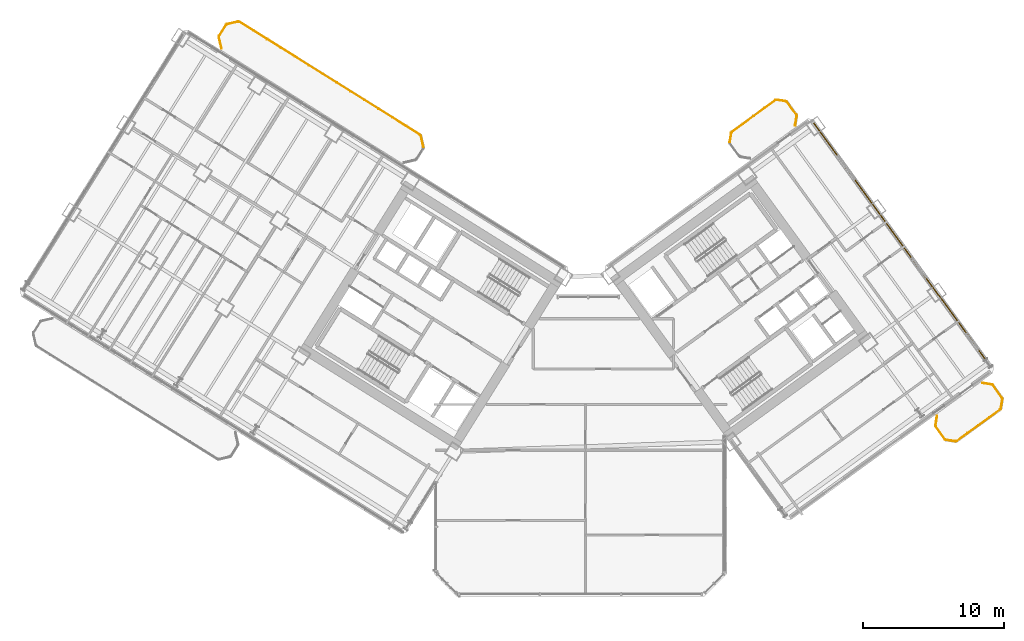
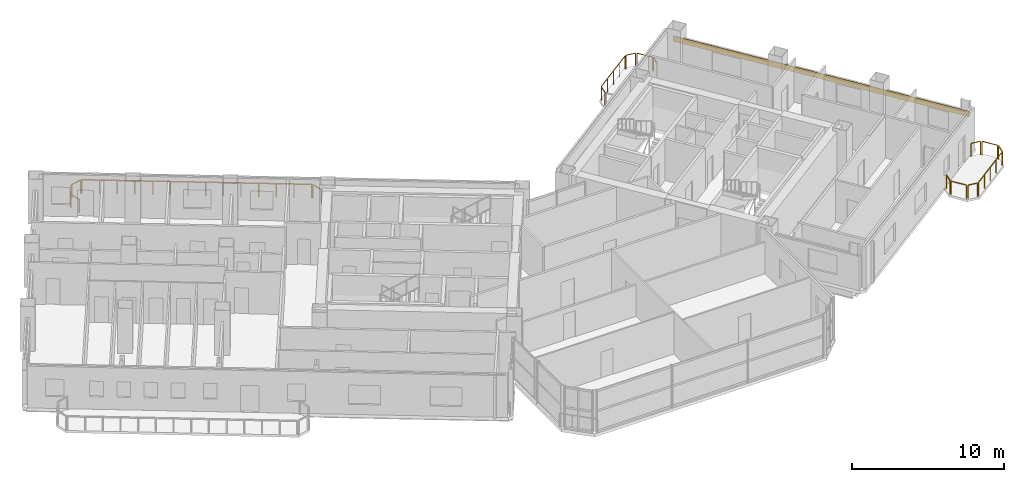
# One storey, part 28 of 28: 17 railings, 1 covering.
"""IFC4 building model written with IfcOpenShell, lengths in metres."""

import ifcopenshell
import ifcopenshell.guid

model = None  # the IFC model being written
_history = None  # IfcOwnerHistory: only IFC2X3 demands one
_inside = {}  # id of a spatial element -> (the spatial element, [elements in it])
_under = {}  # id of a project, library or spatial element -> (it, [spatial elements below it])
_declared = {}  # id of a project -> (the project, [libraries it declares])
_typed = {}  # id of a type object -> (the type object, [elements of that type])
_made_of = {}  # id of a material, layer set ... -> (it, [elements and type objects made of it])


def new_model(schema):
    """Start an empty IFC model of exactly this schema.

    Asked for "IFC4X3", IfcOpenShell would pick the latest addendum, in which some entities
    have other attributes; the version numbers below select the first issue.
    IFC2X3 requires an IfcOwnerHistory on every rooted entity: one is made here for all.
    """
    global model, _history
    if schema == "IFC4X3":
        model = ifcopenshell.file(schema_version=(4, 3, 0, 0))
    else:
        model = ifcopenshell.file(schema=schema)
    _inside.clear()
    _under.clear()
    _declared.clear()
    _typed.clear()
    _made_of.clear()
    _history = None
    if model.schema == "IFC2X3":
        org = make("IfcOrganization", Name="unknown")
        user = make(
            "IfcPersonAndOrganization",
            ThePerson=make("IfcPerson", FamilyName="unknown"),
            TheOrganization=org,
        )
        app = make(
            "IfcApplication",
            ApplicationDeveloper=org,
            Version="unknown",
            ApplicationFullName="unknown",
            ApplicationIdentifier="unknown",
        )
        _history = make(
            "IfcOwnerHistory",
            OwningUser=user,
            OwningApplication=app,
            ChangeAction="ADDED",
            CreationDate=0,
        )
    return model


def make(cls, **values):
    """One entity of the class cls with the attributes given. An attribute that is None is left unset."""
    return model.create_entity(
        cls, **{name: value for name, value in values.items() if value is not None}
    )


def rooted(cls, **values):
    """An entity with a GlobalId (a new one), such as an element, a storey or a relation."""
    return make(cls, GlobalId=ifcopenshell.guid.new(), OwnerHistory=_history, **values)


def si_unit(unit_type, name, prefix=None):
    """IfcSIUnit, for example si_unit("LENGTHUNIT", "METRE", prefix="MILLI")."""
    return make("IfcSIUnit", UnitType=unit_type, Prefix=prefix, Name=name)


def assignment(units):
    """IfcUnitAssignment: the units of a project."""
    return None if units is None else make("IfcUnitAssignment", Units=units)


def point(xyz):
    """IfcCartesianPoint."""
    return None if xyz is None else make("IfcCartesianPoint", Coordinates=xyz)


def direction(xyz):
    """IfcDirection."""
    return None if xyz is None else make("IfcDirection", DirectionRatios=xyz)


def frame(location, z_axis=None, x_axis=None):
    """IfcAxis2Placement3D, a coordinate frame: its origin and axes. An axis left out is left unset."""
    return make(
        "IfcAxis2Placement3D",
        Location=point(location),
        Axis=direction(z_axis),
        RefDirection=direction(x_axis),
    )


def frame_2d(location, x_axis=None):
    """IfcAxis2Placement2D, a coordinate frame in the plane: its origin and x axis."""
    return make(
        "IfcAxis2Placement2D", Location=point(location), RefDirection=direction(x_axis)
    )


def origin():
    """The frame at (0, 0, 0) with its axes left unset."""
    return frame((0.0, 0.0, 0.0))


def origin_2d():
    """The frame at (0, 0) in the plane with its x axis left unset."""
    return frame_2d((0.0, 0.0))


def place(relative_to, where):
    """IfcLocalPlacement: puts the frame where relative to a parent placement (None: the world)."""
    return make(
        "IfcLocalPlacement", PlacementRelTo=relative_to, RelativePlacement=where
    )


def context(
    kind, dimensions, precision=None, world=None, true_north=None, identifier=None
):
    """IfcGeometricRepresentationContext, for example the 3D "Model" context."""
    return make(
        "IfcGeometricRepresentationContext",
        ContextIdentifier=identifier,
        ContextType=kind,
        CoordinateSpaceDimension=dimensions,
        Precision=precision,
        WorldCoordinateSystem=world,
        TrueNorth=true_north,
    )


def subcontext(parent, identifier, kind, view, scale=None):
    """IfcGeometricRepresentationSubContext, for example "Body" below "Model"."""
    return make(
        "IfcGeometricRepresentationSubContext",
        ContextIdentifier=identifier,
        ContextType=kind,
        ParentContext=parent,
        TargetScale=scale,
        TargetView=view,
    )


def project(units=None, contexts=None):
    """IfcProject with its units and contexts."""
    return rooted(
        "IfcProject",
        Name="project",
        RepresentationContexts=contexts,
        UnitsInContext=assignment(units),
    )


def spatial(cls, under=None, at=None, **own):
    """A site, building, storey or space (cls), placed at a placement, below another one or the project."""
    s = rooted(cls, ObjectPlacement=at, **own)
    if under is not None:
        _under.setdefault(under.id(), (under, []))[1].append(s)
    return s


def profile(cls, at=None, kind="AREA", **sizes):
    """A parametric profile (cls). Its sizes go by their IFC names, for example OverallWidth=200.0."""
    return make(cls, ProfileType=kind, Position=at, **sizes)


def rectangle(**sizes):
    """IfcRectangleProfileDef."""
    return profile("IfcRectangleProfileDef", **sizes)


def extrude(swept, where, along, depth):
    """IfcExtrudedAreaSolid: the profile swept, set in the frame where, extruded along a direction by depth."""
    return make(
        "IfcExtrudedAreaSolid",
        SweptArea=swept,
        Position=where,
        ExtrudedDirection=direction(along),
        Depth=depth,
    )


def shape(context_of_items, identifier, shape_type, items):
    """IfcShapeRepresentation: the items that make up one representation, for example the "Body"."""
    return make(
        "IfcShapeRepresentation",
        ContextOfItems=context_of_items,
        RepresentationIdentifier=identifier,
        RepresentationType=shape_type,
        Items=items,
    )


def source(mapping_origin, context_of_items, identifier, shape_type, items):
    """IfcRepresentationMap: a shape defined once, which mapped items show again and again."""
    return make(
        "IfcRepresentationMap",
        MappingOrigin=mapping_origin,
        MappedRepresentation=shape(context_of_items, identifier, shape_type, items),
    )


def transform(
    local_origin,
    x_axis=None,
    y_axis=None,
    z_axis=None,
    scale=None,
    scale2=None,
    scale3=None,
    uniform=True,
):
    """IfcCartesianTransformationOperator3D, or its non-uniform kind. x_axis, y_axis, z_axis: its Axis1, 2, 3."""
    if uniform:
        return make(
            "IfcCartesianTransformationOperator3D",
            Axis1=direction(x_axis),
            Axis2=direction(y_axis),
            LocalOrigin=point(local_origin),
            Scale=scale,
            Axis3=direction(z_axis),
        )
    return make(
        "IfcCartesianTransformationOperator3DnonUniform",
        Axis1=direction(x_axis),
        Axis2=direction(y_axis),
        LocalOrigin=point(local_origin),
        Scale=scale,
        Axis3=direction(z_axis),
        Scale2=scale2,
        Scale3=scale3,
    )


def mapped(mapping_source, mapping_target):
    """IfcMappedItem: shows the shape of a source again, moved by a transform."""
    return make(
        "IfcMappedItem", MappingSource=mapping_source, MappingTarget=mapping_target
    )


def material(Name=None, Category=None):
    """IfcMaterial."""
    return make("IfcMaterial", Name=Name, Category=Category)


def layer(
    of_material, thickness, ventilated=None, Name=None, Category=None, Priority=None
):
    """IfcMaterialLayer: one layer of a wall or slab, of a material (None: an air gap)."""
    return make(
        "IfcMaterialLayer",
        Material=of_material,
        LayerThickness=thickness,
        IsVentilated=ventilated,
        Name=Name,
        Category=Category,
        Priority=Priority,
    )


def layer_set(layers, Name=None):
    """IfcMaterialLayerSet."""
    return make("IfcMaterialLayerSet", MaterialLayers=layers, LayerSetName=Name)


def made_of(thing, what):
    """Note that an element or type object is made of a material, layer set ...; save() writes the relation."""
    if what is not None:
        _made_of.setdefault(what.id(), (what, []))[1].append(thing)
    return thing


def type_object(cls, material=None, **own):
    """A type object (cls), such as IfcWallType, which elements share."""
    return made_of(rooted(cls, **own), material)


def element(
    cls,
    number,
    at=None,
    inside=None,
    cuts=None,
    type_object=None,
    material=None,
    context=None,
    identifier="Body",
    shape_type=None,
    held_by="IfcProductDefinitionShape",
    body=None,
    shapes=None,
    **own,
):
    """One element of the class cls, such as IfcWall. Its Tag is "e" and its number.

    at: its placement. inside: the storey or other place that contains it. cuts: it is an
    opening in that element (IfcRelVoidsElement). A single representation is given by context,
    identifier, shape_type and body (its items); several are given by shapes. held_by: the class
    of the entity that holds the representations. save() writes the other relations.
    """
    e = rooted(cls, Tag="e%d" % number, ObjectPlacement=at, **own)
    if body is not None:
        shapes = [shape(context, identifier, shape_type, body)]
    if shapes is not None:
        e.Representation = make(held_by, Representations=shapes)
    if inside is not None:
        _inside.setdefault(inside.id(), (inside, []))[1].append(e)
    if cuts is not None:
        rooted(
            "IfcRelVoidsElement", RelatingBuildingElement=cuts, RelatedOpeningElement=e
        )
    if type_object is not None:
        _typed.setdefault(type_object.id(), (type_object, []))[1].append(e)
    return made_of(e, material)


def aggregate(whole, parts):
    """IfcRelAggregates: a whole, such as a stair, and the parts it consists of."""
    return rooted("IfcRelAggregates", RelatingObject=whole, RelatedObjects=parts)


def save(model, path):
    """Write the relations noted so far, then the file.

    IfcRelAggregates (storeys below a building ...), IfcRelContainedInSpatialStructure (elements
    in a storey), IfcRelDefinesByType, IfcRelAssociatesMaterial and IfcRelDeclares: one each for
    every whole, place, type object, material and project.
    """
    for whole, parts in _under.values():
        aggregate(whole, parts)
    for where, things in _inside.values():
        rooted(
            "IfcRelContainedInSpatialStructure",
            RelatedElements=things,
            RelatingStructure=where,
        )
    for kind, things in _typed.values():
        rooted("IfcRelDefinesByType", RelatedObjects=things, RelatingType=kind)
    for what, things in _made_of.values():
        rooted("IfcRelAssociatesMaterial", RelatedObjects=things, RelatingMaterial=what)
    for by, libraries in _declared.values():
        rooted("IfcRelDeclares", RelatingContext=by, RelatedDefinitions=libraries)
    model.write(path)


model = new_model("IFC4")

# Units and contexts
model_context = context("Model", 3, precision=1e-05, world=origin(), true_north=direction((0.0, 1.0)))
body_context = subcontext(model_context, "Body", "Model", "MODEL_VIEW")
ifc_project = project(units=[si_unit("LENGTHUNIT", "METRE"), si_unit("AREAUNIT", "SQUARE_METRE"), si_unit("VOLUMEUNIT", "CUBIC_METRE"), si_unit("PLANEANGLEUNIT", "RADIAN"), si_unit("MASSUNIT", "GRAM", prefix="KILO")], contexts=[model_context])

# Site, building, storey
site_placement = place(None, origin())
site = spatial("IfcSite", under=ifc_project, at=site_placement, CompositionType="ELEMENT")
building_placement = place(site_placement, origin())
building = spatial("IfcBuilding", under=site, at=building_placement, Name="Tlacorven Tower", CompositionType="ELEMENT")
storey_placement = place(building_placement, frame((0.0, 0.0, 63.60009765625)))
storey = spatial("IfcBuildingStorey", under=building, at=storey_placement, Name="L16", CompositionType="ELEMENT", Elevation=63.60009765625)

# Railings
ifc_material_1 = material(Name="Aluminium and painted steel balustrade", Category="steel")
railing_type = type_object("IfcRailingType", Name="RL-BAL-1100", PredefinedType="BALUSTRADE", material=ifc_material_1)
shared_shape_1 = source(origin(), body_context, "Body", "SweptSolid", [
    extrude(rectangle(XDim=0.048095703125, YDim=0.048095703125, at=origin_2d()), frame((0.0, 0.0, 1.076171875), z_axis=(0.225058334816, -0.974345290916, 0.0), x_axis=(0.974345290916, 0.225058334816, 0.0)), (0.0, 0.0, 1.0), 0.80712890625),
    extrude(rectangle(XDim=0.0419921875, YDim=0.0419921875, at=origin_2d()), origin(), (0.0, 0.0, 1.0), 1.052001953125),
    extrude(rectangle(XDim=0.0419921875, YDim=0.0419921875, at=origin_2d()), frame((0.181640625, -0.786376953125, 0.0)), (0.0, 0.0, 1.0), 1.052001953125),
])
railing_1_placement = place(storey_placement, frame((30.6796875, 34.466064453125, 0.0)))
element("IfcRailing", 1, at=railing_1_placement, inside=storey, type_object=railing_type, Name="BAL-L16-W-IN Guard Railing 1", PredefinedType="BALUSTRADE", context=body_context, shape_type="MappedRepresentation", body=[
    mapped(shared_shape_1, transform((0.0, 0.0, 0.0), scale=1.0)),
])
shared_shape_2 = source(origin(), body_context, "Body", "SweptSolid", [
    extrude(rectangle(XDim=0.048095703125, YDim=0.048095703125, at=origin_2d()), frame((0.0, 0.0, 1.076171875), z_axis=(-0.225058334816, 0.974345290916, 0.0), x_axis=(-0.974345290916, -0.225058334816, 0.0)), (0.0, 0.0, 1.0), 0.80712890625),
    extrude(rectangle(XDim=0.0419921875, YDim=0.0419921875, at=origin_2d()), origin(), (0.0, 0.0, 1.0), 1.052001953125),
    extrude(rectangle(XDim=0.0419921875, YDim=0.0419921875, at=origin_2d()), frame((-0.181640625, 0.786376953125, 0.0)), (0.0, 0.0, 1.0), 1.052001953125),
])
railing_2_placement = place(storey_placement, frame((16.5361328125, 40.68115234375, 0.0)))
element("IfcRailing", 2, at=railing_2_placement, inside=storey, type_object=railing_type, Name="BAL-L16-W-IN Guard Railing 4", PredefinedType="BALUSTRADE", context=body_context, shape_type="MappedRepresentation", body=[
    mapped(shared_shape_2, transform((0.0, 0.0, 0.0), scale=1.0)),
])
shared_shape_3 = source(origin(), body_context, "Body", "SweptSolid", [
    extrude(rectangle(XDim=0.048095703125, YDim=0.048095703125, at=origin_2d()), frame((0.0, 0.0, 1.076171875), z_axis=(0.52987865805, 0.848073468364, 0.0), x_axis=(-0.848073468364, 0.52987865805, 0.0)), (0.0, 0.0, 1.0), 0.912353515625),
    extrude(rectangle(XDim=0.0419921875, YDim=0.0419921875, at=origin_2d()), origin(), (0.0, 0.0, 1.0), 1.052001953125),
    extrude(rectangle(XDim=0.0419921875, YDim=0.0419921875, at=origin_2d()), frame((0.4833984375, 0.773681640625, 0.0)), (0.0, 0.0, 1.0), 1.052001953125),
])
railing_3_placement = place(storey_placement, frame((16.369873046875, 41.55859375, 0.0)))
element("IfcRailing", 3, at=railing_3_placement, inside=storey, type_object=railing_type, Name="BAL-L16-W-IN Guard Railing 5", PredefinedType="BALUSTRADE", context=body_context, shape_type="MappedRepresentation", body=[
    mapped(shared_shape_3, transform((0.0, 0.0, 0.0), scale=1.0)),
])
shared_shape_4 = source(origin(), body_context, "Body", "SweptSolid", [
    extrude(rectangle(XDim=0.048095703125, YDim=0.048095703125, at=origin_2d()), frame((0.0, 0.0, 1.076171875), z_axis=(0.974411586182, 0.224771129628, 0.0), x_axis=(-0.224771129628, 0.974411586182, 0.0)), (0.0, 0.0, 1.0), 0.80712890625),
    extrude(rectangle(XDim=0.0419921875, YDim=0.0419921875, at=origin_2d()), origin(), (0.0, 0.0, 1.0), 1.052001953125),
    extrude(rectangle(XDim=0.0419921875, YDim=0.0419921875, at=origin_2d()), frame((0.786376953125, 0.181396484375, 0.0)), (0.0, 0.0, 1.0), 1.052001953125),
])
railing_4_placement = place(storey_placement, frame((16.928466796875, 42.385986328125, 0.0)))
element("IfcRailing", 4, at=railing_4_placement, inside=storey, type_object=railing_type, Name="BAL-L16-W-IN Guard Railing 6", PredefinedType="BALUSTRADE", context=body_context, shape_type="MappedRepresentation", body=[
    mapped(shared_shape_4, transform((0.0, 0.0, 0.0), scale=1.0)),
])
shared_shape_5 = source(origin(), body_context, "Body", "SweptSolid", [
    extrude(rectangle(XDim=0.048095703125, YDim=0.048095703125, at=origin_2d()), frame((0.0, 0.0, 1.076171875), z_axis=(0.848044572804, -0.529924902733, 0.0), x_axis=(0.529924902733, 0.848044572804, 0.0)), (0.0, 0.0, 1.0), 15.1171875),
    extrude(rectangle(XDim=0.0419921875, YDim=0.0419921875, at=origin_2d()), origin(), (0.0, 0.0, 1.0), 1.052001953125),
    extrude(rectangle(XDim=0.0419921875, YDim=0.0419921875, at=origin_2d()), frame((0.986083984375, -0.6162109375, 0.0)), (0.0, 0.0, 1.0), 1.052001953125),
    extrude(rectangle(XDim=0.0419921875, YDim=0.0419921875, at=origin_2d()), frame((1.972412109375, -1.232421875, 0.0)), (0.0, 0.0, 1.0), 1.052001953125),
    extrude(rectangle(XDim=0.0419921875, YDim=0.0419921875, at=origin_2d()), frame((2.95849609375, -1.8486328125, 0.0)), (0.0, 0.0, 1.0), 1.052001953125),
    extrude(rectangle(XDim=0.0419921875, YDim=0.0419921875, at=origin_2d()), frame((3.944580078125, -2.46484375, 0.0)), (0.0, 0.0, 1.0), 1.052001953125),
    extrude(rectangle(XDim=0.0419921875, YDim=0.0419921875, at=origin_2d()), frame((4.930908203125, -3.0810546875, 0.0)), (0.0, 0.0, 1.0), 1.052001953125),
    extrude(rectangle(XDim=0.0419921875, YDim=0.0419921875, at=origin_2d()), frame((5.9169921875, -3.697265625, 0.0)), (0.0, 0.0, 1.0), 1.052001953125),
    extrude(rectangle(XDim=0.0419921875, YDim=0.0419921875, at=origin_2d()), frame((6.903076171875, -4.313720703125, 0.0)), (0.0, 0.0, 1.0), 1.052001953125),
    extrude(rectangle(XDim=0.0419921875, YDim=0.0419921875, at=origin_2d()), frame((7.88916015625, -4.929931640625, 0.0)), (0.0, 0.0, 1.0), 1.052001953125),
    extrude(rectangle(XDim=0.0419921875, YDim=0.0419921875, at=origin_2d()), frame((8.87548828125, -5.546142578125, 0.0)), (0.0, 0.0, 1.0), 1.052001953125),
    extrude(rectangle(XDim=0.0419921875, YDim=0.0419921875, at=origin_2d()), frame((9.861572265625, -6.162353515625, 0.0)), (0.0, 0.0, 1.0), 1.052001953125),
    extrude(rectangle(XDim=0.0419921875, YDim=0.0419921875, at=origin_2d()), frame((10.84765625, -6.778564453125, 0.0)), (0.0, 0.0, 1.0), 1.052001953125),
    extrude(rectangle(XDim=0.0419921875, YDim=0.0419921875, at=origin_2d()), frame((11.833984375, -7.394775390625, 0.0)), (0.0, 0.0, 1.0), 1.052001953125),
    extrude(rectangle(XDim=0.0419921875, YDim=0.0419921875, at=origin_2d()), frame((12.820068359375, -8.010986328125, 0.0)), (0.0, 0.0, 1.0), 1.052001953125),
])
railing_5_placement = place(storey_placement, frame((17.805908203125, 42.55224609375, 0.0)))
element("IfcRailing", 5, at=railing_5_placement, inside=storey, type_object=railing_type, Name="BAL-L16-W-IN Guard Railing 7", PredefinedType="BALUSTRADE", context=body_context, shape_type="MappedRepresentation", body=[
    mapped(shared_shape_5, transform((0.0, 0.0, 0.0), scale=1.0)),
])
shared_shape_6 = source(origin(), body_context, "Body", "SweptSolid", [
    extrude(rectangle(XDim=0.048095703125, YDim=0.048095703125, at=origin_2d()), frame((0.0, 0.0, 1.076171875), z_axis=(-0.987661653326, 0.156602868908, 0.0), x_axis=(-0.156602868908, -0.987661653326, 0.0)), (0.0, 0.0, 1.0), 0.665771484375),
    extrude(rectangle(XDim=0.0419921875, YDim=0.0419921875, at=origin_2d()), origin(), (0.0, 0.0, 1.0), 1.052001953125),
    extrude(rectangle(XDim=0.0419921875, YDim=0.0419921875, at=origin_2d()), frame((-0.657470703125, 0.104248046875, 0.0)), (0.0, 0.0, 1.0), 1.052001953125),
])
railing_6_placement = place(storey_placement, frame((68.59521484375, 12.7919921875, 0.0)))
element("IfcRailing", 6, at=railing_6_placement, inside=storey, type_object=railing_type, Name="BAL-L16-E-OUT Guard Railing 1", PredefinedType="BALUSTRADE", context=body_context, shape_type="MappedRepresentation", body=[
    mapped(shared_shape_6, transform((0.0, 0.0, 0.0), scale=1.0)),
])
shared_shape_7 = source(origin(), body_context, "Body", "SweptSolid", [
    extrude(rectangle(XDim=0.048095703125, YDim=0.048095703125, at=origin_2d()), frame((0.0, 0.0, 1.076171875), z_axis=(-0.58788449985, 0.808944877501, 0.0), x_axis=(-0.808944877501, -0.58788449985, 0.0)), (0.0, 0.0, 1.0), 1.112060546875),
    extrude(rectangle(XDim=0.0419921875, YDim=0.0419921875, at=origin_2d()), origin(), (0.0, 0.0, 1.0), 1.052001953125),
    extrude(rectangle(XDim=0.0419921875, YDim=0.0419921875, at=origin_2d()), frame((-0.65380859375, 0.899658203125, 0.0)), (0.0, 0.0, 1.0), 1.052001953125),
])
railing_7_placement = place(storey_placement, frame((67.85888671875, 12.944580078125, 0.0)))
element("IfcRailing", 7, at=railing_7_placement, inside=storey, type_object=railing_type, Name="BAL-L16-E-OUT Guard Railing 2", PredefinedType="BALUSTRADE", context=body_context, shape_type="MappedRepresentation", body=[
    mapped(shared_shape_7, transform((0.0, 0.0, 0.0), scale=1.0)),
])
shared_shape_8 = source(origin(), body_context, "Body", "SweptSolid", [
    extrude(rectangle(XDim=0.048095703125, YDim=0.048095703125, at=origin_2d()), frame((0.0, 0.0, 1.076171875), z_axis=(0.156602868908, 0.987661653326, 0.0), x_axis=(-0.987661653326, 0.156602868908, 0.0)), (0.0, 0.0, 1.0), 0.665771484375),
    extrude(rectangle(XDim=0.0419921875, YDim=0.0419921875, at=origin_2d()), origin(), (0.0, 0.0, 1.0), 1.052001953125),
    extrude(rectangle(XDim=0.0419921875, YDim=0.0419921875, at=origin_2d()), frame((0.104248046875, 0.657470703125, 0.0)), (0.0, 0.0, 1.0), 1.052001953125),
])
railing_8_placement = place(storey_placement, frame((67.18359375, 13.93408203125, 0.0)))
element("IfcRailing", 8, at=railing_8_placement, inside=storey, type_object=railing_type, Name="BAL-L16-E-OUT Guard Railing 3", PredefinedType="BALUSTRADE", context=body_context, shape_type="MappedRepresentation", body=[
    mapped(shared_shape_8, transform((0.0, 0.0, 0.0), scale=1.0)),
])
shared_shape_9 = source(origin(), body_context, "Body", "SweptSolid", [
    extrude(rectangle(XDim=0.048095703125, YDim=0.048095703125, at=origin_2d()), frame((0.0, 0.0, 1.076171875), z_axis=(0.987718317463, -0.156245081039, 0.0), x_axis=(0.156245081039, 0.987718317463, 0.0)), (0.0, 0.0, 1.0), 0.66552734375),
    extrude(rectangle(XDim=0.0419921875, YDim=0.0419921875, at=origin_2d()), origin(), (0.0, 0.0, 1.0), 1.052001953125),
    extrude(rectangle(XDim=0.0419921875, YDim=0.0419921875, at=origin_2d()), frame((0.657470703125, -0.10400390625, 0.0)), (0.0, 0.0, 1.0), 1.052001953125),
])
railing_9_placement = place(storey_placement, frame((70.513916015625, 16.935546875, 0.0)))
element("IfcRailing", 9, at=railing_9_placement, inside=storey, type_object=railing_type, Name="BAL-L16-E-OUT Guard Railing 4", PredefinedType="BALUSTRADE", context=body_context, shape_type="MappedRepresentation", body=[
    mapped(shared_shape_9, transform((0.0, 0.0, 0.0), scale=1.0)),
])
shared_shape_10 = source(origin(), body_context, "Body", "SweptSolid", [
    extrude(rectangle(XDim=0.048095703125, YDim=0.048095703125, at=origin_2d()), frame((0.0, 0.0, 1.076171875), z_axis=(0.58788449985, -0.808944877501, 0.0), x_axis=(0.808944877501, 0.58788449985, 0.0)), (0.0, 0.0, 1.0), 1.112060546875),
    extrude(rectangle(XDim=0.0419921875, YDim=0.0419921875, at=origin_2d()), origin(), (0.0, 0.0, 1.0), 1.052001953125),
    extrude(rectangle(XDim=0.0419921875, YDim=0.0419921875, at=origin_2d()), frame((0.65380859375, -0.899658203125, 0.0)), (0.0, 0.0, 1.0), 1.052001953125),
])
for number, where, name in (
    (10, (71.250244140625, 16.783203125, 0.0), "BAL-L16-E-OUT Guard Railing 5"),
    (11, (56.658447265625, 36.866943359375, 0.0), "BAL-L16-E-IN Guard Railing 6"),
):
    element("IfcRailing", number, at=place(storey_placement, frame(where)), inside=storey, type_object=railing_type, Name=name, PredefinedType="BALUSTRADE", context=body_context, shape_type="MappedRepresentation", body=[
        mapped(shared_shape_10, transform((0.0, 0.0, 0.0), scale=1.0)),
    ])
shared_shape_11 = source(origin(), body_context, "Body", "SweptSolid", [
    extrude(rectangle(XDim=0.048095703125, YDim=0.048095703125, at=origin_2d()), frame((0.0, 0.0, 1.076171875), z_axis=(-0.156188498702, -0.987727266442, 0.0), x_axis=(0.987727266442, -0.156188498702, 0.0)), (0.0, 0.0, 1.0), 0.665771484375),
    extrude(rectangle(XDim=0.0419921875, YDim=0.0419921875, at=origin_2d()), origin(), (0.0, 0.0, 1.0), 1.052001953125),
    extrude(rectangle(XDim=0.0419921875, YDim=0.0419921875, at=origin_2d()), frame((-0.10400390625, -0.65771484375, 0.0)), (0.0, 0.0, 1.0), 1.052001953125),
])
railing_10_placement = place(storey_placement, frame((71.925537109375, 15.793701171875, 0.0)))
element("IfcRailing", 12, at=railing_10_placement, inside=storey, type_object=railing_type, Name="BAL-L16-E-OUT Guard Railing 6", PredefinedType="BALUSTRADE", context=body_context, shape_type="MappedRepresentation", body=[
    mapped(shared_shape_11, transform((0.0, 0.0, 0.0), scale=1.0)),
])
shared_shape_12 = source(origin(), body_context, "Body", "SweptSolid", [
    extrude(rectangle(XDim=0.048095703125, YDim=0.048095703125, at=origin_2d()), frame((0.0, 0.0, 1.076171875), z_axis=(-0.809018102573, -0.587783726986, 0.0), x_axis=(0.587783726986, -0.809018102573, 0.0)), (0.0, 0.0, 1.0), 3.817138671875),
    extrude(rectangle(XDim=0.0419921875, YDim=0.0419921875, at=origin_2d()), origin(), (0.0, 0.0, 1.0), 1.052001953125),
    extrude(rectangle(XDim=0.0419921875, YDim=0.0419921875, at=origin_2d()), frame((-0.77197265625, -0.56103515625, 0.0)), (0.0, 0.0, 1.0), 1.052001953125),
    extrude(rectangle(XDim=0.0419921875, YDim=0.0419921875, at=origin_2d()), frame((-1.5439453125, -1.121826171875, 0.0)), (0.0, 0.0, 1.0), 1.052001953125),
    extrude(rectangle(XDim=0.0419921875, YDim=0.0419921875, at=origin_2d()), frame((-2.316162109375, -1.6826171875, 0.0)), (0.0, 0.0, 1.0), 1.052001953125),
    extrude(rectangle(XDim=0.0419921875, YDim=0.0419921875, at=origin_2d()), frame((-3.088134765625, -2.24365234375, 0.0)), (0.0, 0.0, 1.0), 1.052001953125),
])
railing_11_placement = place(storey_placement, frame((71.773193359375, 15.057373046875, 0.0)))
element("IfcRailing", 13, at=railing_11_placement, inside=storey, type_object=railing_type, Name="BAL-L16-E-OUT Guard Railing 7", PredefinedType="BALUSTRADE", context=body_context, shape_type="MappedRepresentation", body=[
    mapped(shared_shape_12, transform((0.0, 0.0, 0.0), scale=1.0)),
])
shared_shape_13 = source(origin(), body_context, "Body", "SweptSolid", [
    extrude(rectangle(XDim=0.048095703125, YDim=0.048095703125, at=origin_2d()), frame((0.0, 0.0, 1.076171875), z_axis=(0.156546163506, 0.987670642822, 0.0), x_axis=(-0.987670642822, 0.156546163506, 0.0)), (0.0, 0.0, 1.0), 0.666015625),
    extrude(rectangle(XDim=0.0419921875, YDim=0.0419921875, at=origin_2d()), origin(), (0.0, 0.0, 1.0), 1.052001953125),
    extrude(rectangle(XDim=0.0419921875, YDim=0.0419921875, at=origin_2d()), frame((0.104248046875, 0.65771484375, 0.0)), (0.0, 0.0, 1.0), 1.052001953125),
])
railing_12_placement = place(storey_placement, frame((52.591796875, 34.017822265625, 0.0)))
element("IfcRailing", 14, at=railing_12_placement, inside=storey, type_object=railing_type, Name="BAL-L16-E-IN Guard Railing 3", PredefinedType="BALUSTRADE", context=body_context, shape_type="MappedRepresentation", body=[
    mapped(shared_shape_13, transform((0.0, 0.0, 0.0), scale=1.0)),
])
shared_shape_14 = source(origin(), body_context, "Body", "SweptSolid", [
    extrude(rectangle(XDim=0.048095703125, YDim=0.048095703125, at=origin_2d()), frame((0.0, 0.0, 1.076171875), z_axis=(0.809040198054, 0.587753313843, 0.0), x_axis=(-0.587753313843, 0.809040198054, 0.0)), (0.0, 0.0, 1.0), 3.8173828125),
    extrude(rectangle(XDim=0.0419921875, YDim=0.0419921875, at=origin_2d()), origin(), (0.0, 0.0, 1.0), 1.052001953125),
    extrude(rectangle(XDim=0.0419921875, YDim=0.0419921875, at=origin_2d()), frame((0.77197265625, 0.56103515625, 0.0)), (0.0, 0.0, 1.0), 1.052001953125),
    extrude(rectangle(XDim=0.0419921875, YDim=0.0419921875, at=origin_2d()), frame((1.544189453125, 1.121826171875, 0.0)), (0.0, 0.0, 1.0), 1.052001953125),
    extrude(rectangle(XDim=0.0419921875, YDim=0.0419921875, at=origin_2d()), frame((2.31640625, 1.6826171875, 0.0)), (0.0, 0.0, 1.0), 1.052001953125),
    extrude(rectangle(XDim=0.0419921875, YDim=0.0419921875, at=origin_2d()), frame((3.08837890625, 2.24365234375, 0.0)), (0.0, 0.0, 1.0), 1.052001953125),
])
railing_13_placement = place(storey_placement, frame((52.744140625, 34.754150390625, 0.0)))
element("IfcRailing", 15, at=railing_13_placement, inside=storey, type_object=railing_type, Name="BAL-L16-E-IN Guard Railing 4", PredefinedType="BALUSTRADE", context=body_context, shape_type="MappedRepresentation", body=[
    mapped(shared_shape_14, transform((0.0, 0.0, 0.0), scale=1.0)),
])
shared_shape_15 = source(origin(), body_context, "Body", "SweptSolid", [
    extrude(rectangle(XDim=0.048095703125, YDim=0.048095703125, at=origin_2d()), frame((0.0, 0.0, 1.076171875), z_axis=(0.987670642822, -0.156546163506, 0.0), x_axis=(0.156546163506, 0.987670642822, 0.0)), (0.0, 0.0, 1.0), 0.666015625),
    extrude(rectangle(XDim=0.0419921875, YDim=0.0419921875, at=origin_2d()), origin(), (0.0, 0.0, 1.0), 1.052001953125),
    extrude(rectangle(XDim=0.0419921875, YDim=0.0419921875, at=origin_2d()), frame((0.65771484375, -0.104248046875, 0.0)), (0.0, 0.0, 1.0), 1.052001953125),
])
railing_14_placement = place(storey_placement, frame((55.922119140625, 37.01953125, 0.0)))
element("IfcRailing", 16, at=railing_14_placement, inside=storey, type_object=railing_type, Name="BAL-L16-E-IN Guard Railing 5", PredefinedType="BALUSTRADE", context=body_context, shape_type="MappedRepresentation", body=[
    mapped(shared_shape_15, transform((0.0, 0.0, 0.0), scale=1.0)),
])
shared_shape_16 = source(origin(), body_context, "Body", "SweptSolid", [
    extrude(rectangle(XDim=0.048095703125, YDim=0.048095703125, at=origin_2d()), frame((0.0, 0.0, 1.076171875), z_axis=(-0.156245081039, -0.987718317463, 0.0), x_axis=(0.987718317463, -0.156245081039, 0.0)), (0.0, 0.0, 1.0), 0.66552734375),
    extrude(rectangle(XDim=0.0419921875, YDim=0.0419921875, at=origin_2d()), origin(), (0.0, 0.0, 1.0), 1.052001953125),
    extrude(rectangle(XDim=0.0419921875, YDim=0.0419921875, at=origin_2d()), frame((-0.10400390625, -0.657470703125, 0.0)), (0.0, 0.0, 1.0), 1.052001953125),
])
railing_15_placement = place(storey_placement, frame((57.333740234375, 35.87744140625, 0.0)))
element("IfcRailing", 17, at=railing_15_placement, inside=storey, type_object=railing_type, Name="BAL-L16-E-IN Guard Railing 7", PredefinedType="BALUSTRADE", context=body_context, shape_type="MappedRepresentation", body=[
    mapped(shared_shape_16, transform((0.0, 0.0, 0.0), scale=1.0)),
])

# Covering
ifc_material_2 = material(Name="Precast concrete C45/55", Category="concrete")
ifc_layer = layer(ifc_material_2, 0.06005859375)
ifc_layer_set = layer_set([ifc_layer], Name="Precast concrete C45/55")
covering_type = type_object("IfcCoveringType", Name="CV-CLD-TERC", PredefinedType="CLADDING", material=ifc_layer_set)
shared_shape_17 = source(origin(), body_context, "Body", "SweptSolid", [
    extrude(rectangle(XDim=21.287353515625, YDim=0.06005859375, at=origin_2d()), origin(), (0.0, 0.0, 1.0), 0.419921875),
])
covering_placement = place(storey_placement, frame((64.799072265625, 26.75146484375, 2.304931640625), z_axis=(0.0, 0.0, 1.0), x_axis=(0.587785363163, -0.809016913823, 0.0)))
element("IfcCovering", 18, at=covering_placement, inside=storey, type_object=covering_type, Name="L16 Masonry-Frame Spandrel Cladding 5", PredefinedType="CLADDING", context=body_context, shape_type="MappedRepresentation", body=[
    mapped(shared_shape_17, transform((0.0, 0.0, 0.0), scale=1.0)),
])

save(model, "model.ifc")
